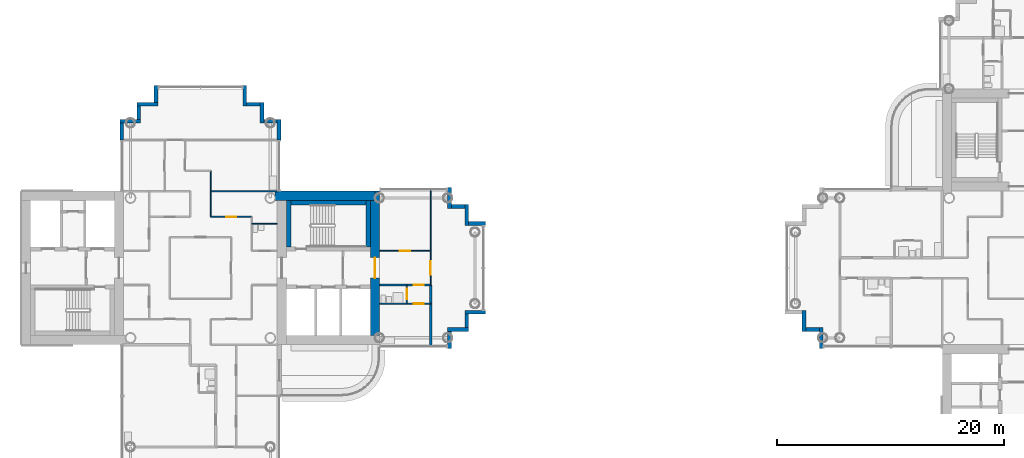
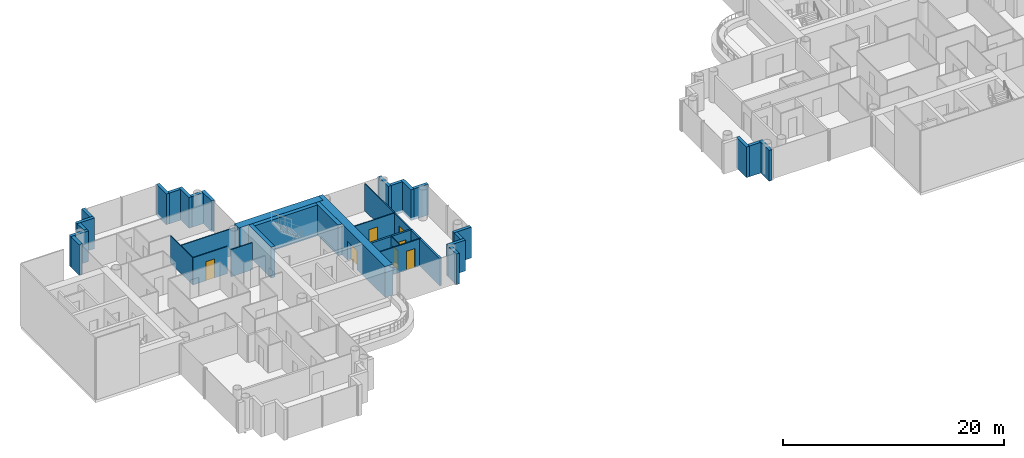
# One storey, part 9 of 20: 36 walls, 7 doors, 7 openings.
"""IFC4 building model written with IfcOpenShell, lengths in metres."""

from ifc_helpers import new_model, si_unit, direction, frame, frame_2d, origin, place, context, subcontext, project, spatial, rectangle, extrude, material, layer, layer_set, type_object, element, fill, save


model = new_model("IFC4")

# Units and contexts
model_context = context("Model", 3, precision=1e-05, world=origin(), true_north=direction((0.0, 1.0)))
body_context = subcontext(model_context, "Body", "Model", "MODEL_VIEW")
ifc_project = project(units=[si_unit("LENGTHUNIT", "METRE"), si_unit("AREAUNIT", "SQUARE_METRE"), si_unit("VOLUMEUNIT", "CUBIC_METRE"), si_unit("PLANEANGLEUNIT", "RADIAN"), si_unit("MASSUNIT", "GRAM", prefix="KILO")], contexts=[model_context])

# Site, building, storey
site_placement = place(None, origin())
site = spatial("IfcSite", under=ifc_project, at=site_placement, CompositionType="ELEMENT")
building_placement = place(site_placement, origin())
building = spatial("IfcBuilding", under=site, at=building_placement, Name="Ipe Terrace Towers", CompositionType="ELEMENT")
storey_placement = place(building_placement, frame((0.0, 0.0, 167.699951171875)))
storey = spatial("IfcBuildingStorey", under=building, at=storey_placement, Name="L46", CompositionType="ELEMENT", Elevation=167.699951171875)

# Walls
ifc_material_1 = material(Name="Concrete C40/50 with buff precast cladding", Category="concrete")
ifc_layer_1 = layer(ifc_material_1, 0.320068359375)
ifc_layer_set_1 = layer_set([ifc_layer_1], Name="BUFF CLADDING WALL 320")
wall_type_1 = type_object("IfcWallType", Name="BUFF CLADDING WALL 320", PredefinedType="STANDARD", material=ifc_layer_set_1)
wall_1_placement = place(storey_placement, frame((-14.090087890625, -7.070068359375, -0.300048828125), z_axis=(0.0, 0.0, 1.0), x_axis=(0.0, 1.0, 0.0)))
element("IfcWall", 1, at=wall_1_placement, inside=storey, type_object=wall_type_1, Name="T1-W-L46-17a wall", PredefinedType="STANDARD", context=body_context, shape_type="SweptSolid", body=[
    extrude(rectangle(XDim=1.5, YDim=0.320068359375, at=frame_2d((0.75, 0.0))), origin(), (0.0, 0.0, 1.0), 3.400146484375),
])
wall_2_placement = place(storey_placement, frame((-14.25, -5.409912109375, -0.300048828125), z_axis=(0.0, 0.0, 1.0), x_axis=(1.0, 0.0, 0.0)))
element("IfcWall", 2, at=wall_2_placement, inside=storey, type_object=wall_type_1, Name="T1-W-L46-18a wall", PredefinedType="STANDARD", context=body_context, shape_type="SweptSolid", body=[
    extrude(rectangle(XDim=1.820068359375, YDim=0.320068359375, at=frame_2d((0.91015625, 0.0))), origin(), (0.0, 0.0, 1.0), 3.400146484375),
])
wall_3_placement = place(storey_placement, frame((-12.590087890625, -5.25, -0.300048828125), z_axis=(0.0, 0.0, 1.0), x_axis=(0.0, 1.0, 0.0)))
element("IfcWall", 3, at=wall_3_placement, inside=storey, type_object=wall_type_1, Name="T1-W-L46-19a wall", PredefinedType="STANDARD", context=body_context, shape_type="SweptSolid", body=[
    extrude(rectangle(XDim=1.179931640625, YDim=0.320068359375, at=frame_2d((0.58984375, 0.0))), origin(), (0.0, 0.0, 1.0), 3.400146484375),
])
wall_4_placement = place(storey_placement, frame((-12.75, -3.909912109375, -0.300048828125), z_axis=(0.0, 0.0, 1.0), x_axis=(1.0, 0.0, 0.0)))
element("IfcWall", 4, at=wall_4_placement, inside=storey, type_object=wall_type_1, Name="T1-W-L46-20a wall", PredefinedType="STANDARD", context=body_context, shape_type="SweptSolid", body=[
    extrude(rectangle(XDim=1.820068359375, YDim=0.320068359375, at=frame_2d((0.91015625, 0.0))), origin(), (0.0, 0.0, 1.0), 3.400146484375),
])
wall_5_placement = place(storey_placement, frame((-10.929931640625, 3.909912109375, -0.300048828125), z_axis=(0.0, 0.0, 1.0), x_axis=(-1.0, 0.0, 0.0)))
element("IfcWall", 5, at=wall_5_placement, inside=storey, type_object=wall_type_1, Name="T1-W-L46-22a wall", PredefinedType="STANDARD", context=body_context, shape_type="SweptSolid", body=[
    extrude(rectangle(XDim=1.5, YDim=0.320068359375, at=frame_2d((0.75, 0.0))), origin(), (0.0, 0.0, 1.0), 3.400146484375),
])
wall_6_placement = place(storey_placement, frame((-12.590087890625, 3.75, -0.300048828125), z_axis=(0.0, 0.0, 1.0), x_axis=(0.0, 1.0, 0.0)))
element("IfcWall", 6, at=wall_6_placement, inside=storey, type_object=wall_type_1, Name="T1-W-L46-23a wall", PredefinedType="STANDARD", context=body_context, shape_type="SweptSolid", body=[
    extrude(rectangle(XDim=1.820068359375, YDim=0.320068359375, at=frame_2d((0.91015625, 0.0))), origin(), (0.0, 0.0, 1.0), 3.400146484375),
])
wall_7_placement = place(storey_placement, frame((-12.75, 5.409912109375, -0.300048828125), z_axis=(0.0, 0.0, 1.0), x_axis=(-1.0, 0.0, 0.0)))
element("IfcWall", 7, at=wall_7_placement, inside=storey, type_object=wall_type_1, Name="T1-W-L46-24a wall", PredefinedType="STANDARD", context=body_context, shape_type="SweptSolid", body=[
    extrude(rectangle(XDim=1.179931640625, YDim=0.320068359375, at=frame_2d((0.58984375, 0.0))), origin(), (0.0, 0.0, 1.0), 3.400146484375),
])
for number, where, z_axis, x_axis, name in (
    (8, (-14.090087890625, 5.25, -0.300048828125), (0.0, 0.0, 1.0), (0.0, 1.0, 0.0), "T1-W-L46-25a wall"),
    (9, (-29.090087890625, 11.25, -0.300048828125), (0.0, 0.0, 1.0), (0.0, 1.0, 0.0), "T1-W-L46-29a wall"),
):
    element("IfcWall", number, at=place(storey_placement, frame(where, z_axis=z_axis, x_axis=x_axis)), inside=storey, type_object=wall_type_1, Name=name, PredefinedType="STANDARD", context=body_context, shape_type="SweptSolid", body=[
        extrude(rectangle(XDim=1.820068359375, YDim=0.320068359375, at=frame_2d((0.91015625, 0.0))), origin(), (0.0, 0.0, 1.0), 3.400146484375),
    ])
wall_8_placement = place(storey_placement, frame((-29.25, 12.909912109375, -0.300048828125), z_axis=(0.0, 0.0, 1.0), x_axis=(-1.0, 0.0, 0.0)))
element("IfcWall", 10, at=wall_8_placement, inside=storey, type_object=wall_type_1, Name="T1-W-L46-30a wall", PredefinedType="STANDARD", context=body_context, shape_type="SweptSolid", body=[
    extrude(rectangle(XDim=1.179931640625, YDim=0.320068359375, at=frame_2d((0.58984375, 0.0))), origin(), (0.0, 0.0, 1.0), 3.400146484375),
])
wall_9_placement = place(storey_placement, frame((-30.590087890625, 12.75, -0.300048828125), z_axis=(0.0, 0.0, 1.0), x_axis=(0.0, 1.0, 0.0)))
element("IfcWall", 11, at=wall_9_placement, inside=storey, type_object=wall_type_1, Name="T1-W-L46-31a wall", PredefinedType="STANDARD", context=body_context, shape_type="SweptSolid", body=[
    extrude(rectangle(XDim=1.820068359375, YDim=0.320068359375, at=frame_2d((0.91015625, 0.0))), origin(), (0.0, 0.0, 1.0), 3.400146484375),
])
wall_10_placement = place(storey_placement, frame((-30.75, 14.409912109375, -0.300048828125), z_axis=(0.0, 0.0, 1.0), x_axis=(-1.0, 0.0, 0.0)))
element("IfcWall", 12, at=wall_10_placement, inside=storey, type_object=wall_type_1, Name="T1-W-L46-32a wall", PredefinedType="STANDARD", context=body_context, shape_type="SweptSolid", body=[
    extrude(rectangle(XDim=1.179931640625, YDim=0.320068359375, at=frame_2d((0.58984375, 0.0))), origin(), (0.0, 0.0, 1.0), 3.400146484375),
])
wall_11_placement = place(storey_placement, frame((-32.090087890625, 14.25, -0.300048828125), z_axis=(0.0, 0.0, 1.0), x_axis=(0.0, 1.0, 0.0)))
element("IfcWall", 13, at=wall_11_placement, inside=storey, type_object=wall_type_1, Name="T1-W-L46-33a wall", PredefinedType="STANDARD", context=body_context, shape_type="SweptSolid", body=[
    extrude(rectangle(XDim=1.820068359375, YDim=0.320068359375, at=frame_2d((0.91015625, 0.0))), origin(), (0.0, 0.0, 1.0), 3.400146484375),
])
wall_12_placement = place(storey_placement, frame((-39.909912109375, 16.070068359375, -0.300048828125), z_axis=(0.0, 0.0, 1.0), x_axis=(0.0, -1.0, 0.0)))
element("IfcWall", 14, at=wall_12_placement, inside=storey, type_object=wall_type_1, Name="T1-W-L46-35a wall", PredefinedType="STANDARD", context=body_context, shape_type="SweptSolid", body=[
    extrude(rectangle(XDim=1.5, YDim=0.320068359375, at=frame_2d((0.75, 0.0))), origin(), (0.0, 0.0, 1.0), 3.400146484375),
])
wall_13_placement = place(storey_placement, frame((-39.75, 14.409912109375, -0.300048828125), z_axis=(0.0, 0.0, 1.0), x_axis=(-1.0, 0.0, 0.0)))
element("IfcWall", 15, at=wall_13_placement, inside=storey, type_object=wall_type_1, Name="T1-W-L46-36a wall", PredefinedType="STANDARD", context=body_context, shape_type="SweptSolid", body=[
    extrude(rectangle(XDim=1.820068359375, YDim=0.320068359375, at=frame_2d((0.91015625, 0.0))), origin(), (0.0, 0.0, 1.0), 3.400146484375),
])
wall_14_placement = place(storey_placement, frame((-41.409912109375, 14.25, -0.300048828125), z_axis=(0.0, 0.0, 1.0), x_axis=(0.0, -1.0, 0.0)))
element("IfcWall", 16, at=wall_14_placement, inside=storey, type_object=wall_type_1, Name="T1-W-L46-37a wall", PredefinedType="STANDARD", context=body_context, shape_type="SweptSolid", body=[
    extrude(rectangle(XDim=1.179931640625, YDim=0.320068359375, at=frame_2d((0.58984375, 0.0))), origin(), (0.0, 0.0, 1.0), 3.400146484375),
])
wall_15_placement = place(storey_placement, frame((-41.25, 12.909912109375, -0.300048828125), z_axis=(0.0, 0.0, 1.0), x_axis=(-1.0, 0.0, 0.0)))
element("IfcWall", 17, at=wall_15_placement, inside=storey, type_object=wall_type_1, Name="T1-W-L46-38a wall", PredefinedType="STANDARD", context=body_context, shape_type="SweptSolid", body=[
    extrude(rectangle(XDim=1.820068359375, YDim=0.320068359375, at=frame_2d((0.91015625, 0.0))), origin(), (0.0, 0.0, 1.0), 3.400146484375),
])
wall_16_placement = place(storey_placement, frame((-42.909912109375, 12.75, -0.300048828125), z_axis=(0.0, 0.0, 1.0), x_axis=(0.0, -1.0, 0.0)))
element("IfcWall", 18, at=wall_16_placement, inside=storey, type_object=wall_type_1, Name="T1-W-L46-39a wall", PredefinedType="STANDARD", context=body_context, shape_type="SweptSolid", body=[
    extrude(rectangle(XDim=1.5, YDim=0.320068359375, at=frame_2d((0.75, 0.0))), origin(), (0.0, 0.0, 1.0), 3.400146484375),
])
wall_17_placement = place(storey_placement, frame((17.090087890625, -3.75, -0.300048828125), z_axis=(0.0, 0.0, 1.0), x_axis=(0.0, -1.0, 0.0)))
element("IfcWall", 19, at=wall_17_placement, inside=storey, type_object=wall_type_1, Name="T2-W-L46-36a wall", PredefinedType="STANDARD", context=body_context, shape_type="SweptSolid", body=[
    extrude(rectangle(XDim=1.820068359375, YDim=0.320068359375, at=frame_2d((0.91015625, 0.0))), origin(), (0.0, 0.0, 1.0), 3.400146484375),
])
wall_18_placement = place(storey_placement, frame((17.25, -5.409912109375, -0.300048828125), z_axis=(0.0, 0.0, 1.0), x_axis=(1.0, 0.0, 0.0)))
element("IfcWall", 20, at=wall_18_placement, inside=storey, type_object=wall_type_1, Name="T2-W-L46-37a wall", PredefinedType="STANDARD", context=body_context, shape_type="SweptSolid", body=[
    extrude(rectangle(XDim=1.179931640625, YDim=0.320068359375, at=frame_2d((0.58984375, 0.0))), origin(), (0.0, 0.0, 1.0), 3.400146484375),
])
wall_19_placement = place(storey_placement, frame((18.590087890625, -5.25, -0.300048828125), z_axis=(0.0, 0.0, 1.0), x_axis=(0.0, -1.0, 0.0)))
element("IfcWall", 21, at=wall_19_placement, inside=storey, type_object=wall_type_1, Name="T2-W-L46-38a wall", PredefinedType="STANDARD", context=body_context, shape_type="SweptSolid", body=[
    extrude(rectangle(XDim=1.820068359375, YDim=0.320068359375, at=frame_2d((0.91015625, 0.0))), origin(), (0.0, 0.0, 1.0), 3.400146484375),
])
ifc_material_2 = material(Name="Gypsum board partition", Category="plasterboard")
ifc_layer_2 = layer(ifc_material_2, 0.10009765625)
ifc_layer_set_2 = layer_set([ifc_layer_2], Name="Gypsum board partition 100 mm")
wall_type_2 = type_object("IfcWallType", Name="Gypsum board partition 100 mm", PredefinedType="PARTITIONING", material=ifc_layer_set_2)
wall_20_placement = place(storey_placement, frame((-35.10009765625, 4.5, 0.0), z_axis=(0.0, 0.0, 1.0), x_axis=(0.0, 1.0, 0.0)))
element("IfcWall", 22, at=wall_20_placement, inside=storey, type_object=wall_type_2, Name="Gypsum board partition T1 L46 W11", PredefinedType="PARTITIONING", context=body_context, shape_type="SweptSolid", body=[
    extrude(rectangle(XDim=4.050048828125, YDim=0.10009765625, at=frame_2d((2.02490234375, 0.0))), origin(), (0.0, 0.0, 1.0), 3.0),
])

# Wall, opening, door
wall_21_placement = place(storey_placement, frame((-17.85009765625, -3.14990234375, 0.0), z_axis=(0.0, 0.0, 1.0), x_axis=(0.0, 1.0, 0.0)))
wall_21 = element("IfcWall", 23, at=wall_21_placement, inside=storey, type_object=wall_type_2, Name="Gypsum board partition T1 L46 W17", PredefinedType="PARTITIONING", context=body_context, shape_type="SweptSolid", body=[
    extrude(rectangle(XDim=1.64990234375, YDim=0.10009765625, at=frame_2d((0.824951171875, 0.0))), origin(), (0.0, 0.0, 1.0), 3.0),
])
opening_1_placement = place(wall_21_placement, frame((0.39990234375, 0.0, 0.0)))
opening_1 = element("IfcOpeningElement", 24, at=opening_1_placement, cuts=wall_21, Name="Opening T1-Z3F-21", PredefinedType="OPENING", context=body_context, shape_type="SweptSolid", body=[
    extrude(rectangle(XDim=0.89990234375, YDim=2.10009765625, at=frame_2d((0.449951171875, 1.050048828125))), frame((0.0, 0.06005859375, 0.0), z_axis=(0.0, -1.0, 0.0), x_axis=(1.0, 0.0, 0.0)), (0.0, 0.0, 1.0), 0.1201171875),
])
ifc_material_3 = material(Name="Timber door leaf", Category="wood")
door_type_1 = type_object("IfcDoorType", Name="Bathroom door 900 x 2100", OperationType="NOTDEFINED", PredefinedType="DOOR", material=ifc_material_3)
door_1_placement = place(opening_1_placement, origin())
door_1 = element("IfcDoor", 25, at=door_1_placement, inside=storey, type_object=door_type_1, Name="Bathroom door T1-Z3F-21", OperationType="SINGLE_SWING_LEFT", OverallHeight=2.10009765625, OverallWidth=0.89990234375, PredefinedType="DOOR", context=body_context, shape_type="SweptSolid", body=[
    extrude(rectangle(XDim=0.89990234375, YDim=2.10009765625, at=frame_2d((0.449951171875, 1.050048828125))), frame((0.0, 0.02490234375, 0.0), z_axis=(0.0, -1.0, 0.0), x_axis=(1.0, 0.0, 0.0)), (0.0, 0.0, 1.0), 0.050048828125),
])
fill(opening_1, door_1)

wall_22_placement = place(storey_placement, frame((-15.75, -1.5, 0.0), z_axis=(0.0, 0.0, 1.0), x_axis=(0.0, 1.0, 0.0)))
wall_22 = element("IfcWall", 26, at=wall_22_placement, inside=storey, type_object=wall_type_2, Name="Gypsum board partition T1 L46 W18", PredefinedType="PARTITIONING", context=body_context, shape_type="SweptSolid", body=[
    extrude(rectangle(XDim=8.35009765625, YDim=0.10009765625, at=frame_2d((4.175048828125, 0.0))), origin(), (0.0, 0.0, 1.0), 3.0),
])
opening_2_placement = place(wall_22_placement, frame((0.89990234375, 0.0, 0.0)))
opening_2 = element("IfcOpeningElement", 27, at=opening_2_placement, cuts=wall_22, Name="Opening T1-Z3F-22", PredefinedType="OPENING", context=body_context, shape_type="SweptSolid", body=[
    extrude(rectangle(XDim=1.199951171875, YDim=2.10009765625, at=frame_2d((0.60009765625, 1.050048828125))), frame((0.0, 0.06005859375, 0.0), z_axis=(0.0, -1.0, 0.0), x_axis=(1.0, 0.0, 0.0)), (0.0, 0.0, 1.0), 0.1201171875),
])
ifc_material_4 = material(Name="Timber door leaf", Category="wood")
door_type_2 = type_object("IfcDoorType", Name="Lounge door 1200 x 2100", OperationType="NOTDEFINED", PredefinedType="DOOR", material=ifc_material_4)
door_2_placement = place(opening_2_placement, origin())
door_2 = element("IfcDoor", 28, at=door_2_placement, inside=storey, type_object=door_type_2, Name="Lounge door T1-Z3F-22", OperationType="SINGLE_SWING_LEFT", OverallHeight=2.10009765625, OverallWidth=1.199951171875, PredefinedType="DOOR", context=body_context, shape_type="SweptSolid", body=[
    extrude(rectangle(XDim=1.199951171875, YDim=2.10009765625, at=frame_2d((0.60009765625, 1.050048828125))), frame((0.0, 0.02490234375, 0.0), z_axis=(0.0, -1.0, 0.0), x_axis=(1.0, 0.0, 0.0)), (0.0, 0.0, 1.0), 0.050048828125),
])
fill(opening_2, door_2)

wall_23_placement = place(storey_placement, frame((-20.25, -3.14990234375, 0.0), z_axis=(0.0, 0.0, 1.0), x_axis=(1.0, 0.0, 0.0)))
wall_23 = element("IfcWall", 29, at=wall_23_placement, inside=storey, type_object=wall_type_2, Name="Gypsum board partition T1 L46 W29", PredefinedType="PARTITIONING", context=body_context, shape_type="SweptSolid", body=[
    extrude(rectangle(XDim=4.5, YDim=0.10009765625, at=frame_2d((2.25, 0.0))), origin(), (0.0, 0.0, 1.0), 3.0),
])
opening_3_placement = place(wall_23_placement, frame((3.0, 0.0, 0.0)))
opening_3 = element("IfcOpeningElement", 30, at=opening_3_placement, cuts=wall_23, Name="Opening T1-Z3F-20", PredefinedType="OPENING", context=body_context, shape_type="SweptSolid", body=[
    extrude(rectangle(XDim=0.89990234375, YDim=2.10009765625, at=frame_2d((0.449951171875, 1.050048828125))), frame((0.0, 0.06005859375, 0.0), z_axis=(0.0, -1.0, 0.0), x_axis=(1.0, 0.0, 0.0)), (0.0, 0.0, 1.0), 0.1201171875),
])
ifc_material_5 = material(Name="Timber door leaf", Category="wood")
door_type_3 = type_object("IfcDoorType", Name="Bedroom door 900 x 2100", OperationType="NOTDEFINED", PredefinedType="DOOR", material=ifc_material_5)
door_3_placement = place(opening_3_placement, origin())
door_3 = element("IfcDoor", 31, at=door_3_placement, inside=storey, type_object=door_type_3, Name="Bedroom door T1-Z3F-20", OperationType="SINGLE_SWING_RIGHT", OverallHeight=2.10009765625, OverallWidth=0.89990234375, PredefinedType="DOOR", context=body_context, shape_type="SweptSolid", body=[
    extrude(rectangle(XDim=0.89990234375, YDim=2.10009765625, at=frame_2d((0.449951171875, 1.050048828125))), frame((0.0, 0.02490234375, 0.0), z_axis=(0.0, -1.0, 0.0), x_axis=(1.0, 0.0, 0.0)), (0.0, 0.0, 1.0), 0.050048828125),
])
fill(opening_3, door_3)

wall_24_placement = place(storey_placement, frame((-20.25, 1.5, 0.0), z_axis=(0.0, 0.0, 1.0), x_axis=(1.0, 0.0, 0.0)))
wall_24 = element("IfcWall", 32, at=wall_24_placement, inside=storey, type_object=wall_type_2, Name="Gypsum board partition T1 L46 W36", PredefinedType="PARTITIONING", context=body_context, shape_type="SweptSolid", body=[
    extrude(rectangle(XDim=4.5, YDim=0.10009765625, at=frame_2d((2.25, 0.0))), origin(), (0.0, 0.0, 1.0), 3.0),
])
opening_4_placement = place(wall_24_placement, frame((1.800048828125, 0.0, 0.0)))
opening_4 = element("IfcOpeningElement", 33, at=opening_4_placement, cuts=wall_24, Name="Opening T1-Z3F-18", PredefinedType="OPENING", context=body_context, shape_type="SweptSolid", body=[
    extrude(rectangle(XDim=0.89990234375, YDim=2.10009765625, at=frame_2d((0.449951171875, 1.050048828125))), frame((0.0, 0.06005859375, 0.0), z_axis=(0.0, -1.0, 0.0), x_axis=(1.0, 0.0, 0.0)), (0.0, 0.0, 1.0), 0.1201171875),
])
ifc_material_6 = material(Name="Timber door leaf", Category="wood")
door_type_4 = type_object("IfcDoorType", Name="Lounge door 900 x 2100", OperationType="NOTDEFINED", PredefinedType="DOOR", material=ifc_material_6)
door_4_placement = place(opening_4_placement, origin())
door_4 = element("IfcDoor", 34, at=door_4_placement, inside=storey, type_object=door_type_4, Name="Lounge door T1-Z3F-18", OperationType="SINGLE_SWING_LEFT", OverallHeight=2.10009765625, OverallWidth=0.89990234375, PredefinedType="DOOR", context=body_context, shape_type="SweptSolid", body=[
    extrude(rectangle(XDim=0.89990234375, YDim=2.10009765625, at=frame_2d((0.449951171875, 1.050048828125))), frame((0.0, 0.02490234375, 0.0), z_axis=(0.0, -1.0, 0.0), x_axis=(1.0, 0.0, 0.0)), (0.0, 0.0, 1.0), 0.050048828125),
])
fill(opening_4, door_4)

# Wall
wall_25_placement = place(storey_placement, frame((-31.5, 3.89990234375, 0.0), z_axis=(0.0, 0.0, 1.0), x_axis=(1.0, 0.0, 0.0)))
element("IfcWall", 35, at=wall_25_placement, inside=storey, type_object=wall_type_2, Name="Gypsum board partition T1 L46 W38", PredefinedType="PARTITIONING", context=body_context, shape_type="SweptSolid", body=[
    extrude(rectangle(XDim=2.25, YDim=0.10009765625, at=frame_2d((1.125, 0.0))), origin(), (0.0, 0.0, 1.0), 3.0),
])

# Wall, opening, door
wall_26_placement = place(storey_placement, frame((-35.10009765625, 4.5, 0.0), z_axis=(0.0, 0.0, 1.0), x_axis=(1.0, 0.0, 0.0)))
wall_26 = element("IfcWall", 36, at=wall_26_placement, inside=storey, type_object=wall_type_2, Name="Gypsum board partition T1 L46 W40", PredefinedType="PARTITIONING", context=body_context, shape_type="SweptSolid", body=[
    extrude(rectangle(XDim=3.60009765625, YDim=0.10009765625, at=frame_2d((1.800048828125, 0.0))), origin(), (0.0, 0.0, 1.0), 3.0),
])
opening_5_placement = place(wall_26_placement, frame((1.35009765625, 0.0, 0.0)))
opening_5 = element("IfcOpeningElement", 37, at=opening_5_placement, cuts=wall_26, Name="Opening T1-Z3F-04", PredefinedType="OPENING", context=body_context, shape_type="SweptSolid", body=[
    extrude(rectangle(XDim=0.89990234375, YDim=2.10009765625, at=frame_2d((0.449951171875, 1.050048828125))), frame((0.0, 0.06005859375, 0.0), z_axis=(0.0, -1.0, 0.0), x_axis=(1.0, 0.0, 0.0)), (0.0, 0.0, 1.0), 0.1201171875),
])
door_5_placement = place(opening_5_placement, origin())
door_5 = element("IfcDoor", 38, at=door_5_placement, inside=storey, type_object=door_type_4, Name="Lounge door T1-Z3F-04", OperationType="SINGLE_SWING_LEFT", OverallHeight=2.10009765625, OverallWidth=0.89990234375, PredefinedType="DOOR", context=body_context, shape_type="SweptSolid", body=[
    extrude(rectangle(XDim=0.89990234375, YDim=2.10009765625, at=frame_2d((0.449951171875, 1.050048828125))), frame((0.0, 0.02490234375, 0.0), z_axis=(0.0, -1.0, 0.0), x_axis=(1.0, 0.0, 0.0)), (0.0, 0.0, 1.0), 0.050048828125),
])
fill(opening_5, door_5)

# Walls
wall_27_placement = place(storey_placement, frame((-35.10009765625, 6.75, 0.0), z_axis=(0.0, 0.0, 1.0), x_axis=(1.0, 0.0, 0.0)))
element("IfcWall", 39, at=wall_27_placement, inside=storey, type_object=wall_type_2, Name="Gypsum board partition T1 L46 W42", PredefinedType="PARTITIONING", context=body_context, shape_type="SweptSolid", body=[
    extrude(rectangle(XDim=5.9501953125, YDim=0.10009765625, at=frame_2d((2.97509765625, 0.0))), origin(), (0.0, 0.0, 1.0), 3.0),
])
ifc_material_7 = material(Name="Gypsum board party wall", Category="plasterboard")
ifc_layer_3 = layer(ifc_material_7, 0.199951171875)
ifc_layer_set_3 = layer_set([ifc_layer_3], Name="Gypsum board party wall 200 mm")
wall_type_3 = type_object("IfcWallType", Name="Gypsum board party wall 200 mm", PredefinedType="SOLIDWALL", material=ifc_layer_set_3)
wall_28_placement = place(storey_placement, frame((-15.75, -6.85009765625, 0.0), z_axis=(0.0, 0.0, 1.0), x_axis=(0.0, 1.0, 0.0)))
element("IfcWall", 40, at=wall_28_placement, inside=storey, type_object=wall_type_3, Name="Gypsum board party wall T1 L46 W19", PredefinedType="SOLIDWALL", context=body_context, shape_type="SweptSolid", body=[
    extrude(rectangle(XDim=5.35009765625, YDim=0.199951171875, at=frame_2d((2.675048828125, 0.0))), origin(), (0.0, 0.0, 1.0), 3.0),
])

# Wall, opening, door
wall_29_placement = place(storey_placement, frame((-20.25, -1.5, 0.0), z_axis=(0.0, 0.0, 1.0), x_axis=(1.0, 0.0, 0.0)))
wall_29 = element("IfcWall", 41, at=wall_29_placement, inside=storey, type_object=wall_type_3, Name="Gypsum board party wall T1 L46 W33", PredefinedType="SOLIDWALL", context=body_context, shape_type="SweptSolid", body=[
    extrude(rectangle(XDim=4.5, YDim=0.199951171875, at=frame_2d((2.25, 0.0))), origin(), (0.0, 0.0, 1.0), 3.0),
])
opening_6_placement = place(wall_29_placement, frame((3.0, 0.0, 0.0)))
opening_6 = element("IfcOpeningElement", 42, at=opening_6_placement, cuts=wall_29, Name="Opening T1-Z3F-19", PredefinedType="OPENING", context=body_context, shape_type="SweptSolid", body=[
    extrude(rectangle(XDim=0.89990234375, YDim=2.10009765625, at=frame_2d((0.449951171875, 1.050048828125))), frame((0.0, 0.10986328125, 0.0), z_axis=(0.0, -1.0, 0.0), x_axis=(1.0, 0.0, 0.0)), (0.0, 0.0, 1.0), 0.219970703125),
])
ifc_material_8 = material(Name="Fire-rated timber door leaf", Category="wood")
door_type_5 = type_object("IfcDoorType", Name="Flat entrance door 900 x 2100 FD30S", OperationType="NOTDEFINED", PredefinedType="DOOR", material=ifc_material_8)
door_6_placement = place(opening_6_placement, origin())
door_6 = element("IfcDoor", 43, at=door_6_placement, inside=storey, type_object=door_type_5, Name="Flat entrance door T1-Z3F-19", OperationType="SINGLE_SWING_RIGHT", OverallHeight=2.10009765625, OverallWidth=0.89990234375, PredefinedType="DOOR", context=body_context, shape_type="SweptSolid", body=[
    extrude(rectangle(XDim=0.89990234375, YDim=2.10009765625, at=frame_2d((0.449951171875, 1.050048828125))), frame((0.0, 0.02490234375, 0.0), z_axis=(0.0, -1.0, 0.0), x_axis=(1.0, 0.0, 0.0)), (0.0, 0.0, 1.0), 0.050048828125),
])
fill(opening_6, door_6)

# Walls
ifc_material_9 = material(Name="Concrete C50/60", Category="concrete")
ifc_layer_4 = layer(ifc_material_9, 0.39990234375)
ifc_layer_set_4 = layer_set([ifc_layer_4], Name="RW400 CORE INFILL WALL 400 C50-60")
wall_type_4 = type_object("IfcWallType", Name="RW400 CORE INFILL WALL 400 C50-60", PredefinedType="SHEAR", material=ifc_layer_set_4)
wall_30_placement = place(storey_placement, frame((-21.25, 1.85009765625, 0.0), z_axis=(0.0, 0.0, 1.0), x_axis=(0.0, 1.0, 0.0)))
element("IfcWall", 44, at=wall_30_placement, inside=storey, type_object=wall_type_4, Name="Core infill wall T1-C1-far", PredefinedType="SHEAR", context=body_context, shape_type="SweptSolid", body=[
    extrude(rectangle(XDim=4.099853515625, YDim=0.39990234375, at=frame_2d((2.0498046875, 0.0))), origin(), (0.0, 0.0, 1.0), 3.400146484375),
])
wall_31_placement = place(storey_placement, frame((-28.050048828125, 5.75, 0.0), z_axis=(0.0, 0.0, 1.0), x_axis=(1.0, 0.0, 0.0)))
element("IfcWall", 45, at=wall_31_placement, inside=storey, type_object=wall_type_4, Name="Core infill wall T1-C1-back", PredefinedType="SHEAR", context=body_context, shape_type="SweptSolid", body=[
    extrude(rectangle(XDim=6.60009765625, YDim=0.39990234375, at=frame_2d((3.300048828125, 0.0))), origin(), (0.0, 0.0, 1.0), 3.400146484375),
])
wall_32_placement = place(storey_placement, frame((-28.25, 1.85009765625, 0.0), z_axis=(0.0, 0.0, 1.0), x_axis=(0.0, 1.0, 0.0)))
element("IfcWall", 46, at=wall_32_placement, inside=storey, type_object=wall_type_4, Name="Core infill wall T1-C1-near", PredefinedType="SHEAR", context=body_context, shape_type="SweptSolid", body=[
    extrude(rectangle(XDim=4.099853515625, YDim=0.39990234375, at=frame_2d((2.0498046875, 0.0))), origin(), (0.0, 0.0, 1.0), 3.400146484375),
])

# Wall, opening, door
ifc_material_10 = material(Name="Concrete C50/60", Category="concrete")
ifc_layer_5 = layer(ifc_material_10, 0.800048828125)
ifc_layer_set_5 = layer_set([ifc_layer_5], Name="RW800 CORE WALL 800 C50-60")
wall_type_5 = type_object("IfcWallType", Name="RW800 CORE WALL 800 C50-60", PredefinedType="SHEAR", material=ifc_layer_set_5)
wall_33_placement = place(storey_placement, frame((-20.64990234375, -5.949951171875, 0.0), z_axis=(0.0, 0.0, 1.0), x_axis=(0.0, 1.0, 0.0)))
wall_33 = element("IfcWall", 47, at=wall_33_placement, inside=storey, type_object=wall_type_5, Name="Core wall T1-C1-Z3-W02", PredefinedType="SHEAR", context=body_context, shape_type="SweptSolid", body=[
    extrude(rectangle(XDim=12.699951171875, YDim=0.800048828125, at=frame_2d((6.35009765625, 0.0))), origin(), (0.0, 0.0, 1.0), 3.400146484375),
])
opening_7_placement = place(wall_33_placement, frame((5.050048828125, 0.0, 0.0)))
opening_7 = element("IfcOpeningElement", 48, at=opening_7_placement, cuts=wall_33, Name="Opening T1C1-FD", PredefinedType="OPENING", context=body_context, shape_type="SweptSolid", body=[
    extrude(rectangle(XDim=1.800048828125, YDim=2.10009765625, at=frame_2d((0.89990234375, 1.050048828125))), frame((0.0, 0.41015625, 0.0), z_axis=(0.0, -1.0, 0.0), x_axis=(1.0, 0.0, 0.0)), (0.0, 0.0, 1.0), 0.820068359375),
])
ifc_material_11 = material(Name="Fire-rated timber door leaf", Category="wood")
door_type_6 = type_object("IfcDoorType", Name="Fire door 1800 x 2100 FD30S", OperationType="NOTDEFINED", PredefinedType="DOOR", material=ifc_material_11)
door_7_placement = place(opening_7_placement, origin())
door_7 = element("IfcDoor", 49, at=door_7_placement, inside=storey, type_object=door_type_6, Name="Fire door T1C1-FD", OperationType="SINGLE_SWING_LEFT", OverallHeight=2.10009765625, OverallWidth=1.800048828125, PredefinedType="DOOR", context=body_context, shape_type="SweptSolid", body=[
    extrude(rectangle(XDim=1.800048828125, YDim=2.10009765625, at=frame_2d((0.89990234375, 1.050048828125))), frame((0.0, 0.02490234375, 0.0), z_axis=(0.0, -1.0, 0.0), x_axis=(1.0, 0.0, 0.0)), (0.0, 0.0, 1.0), 0.050048828125),
])
fill(opening_7, door_7)

# Wall
wall_34_placement = place(storey_placement, frame((-20.652099609375, 6.35009765625, 0.0), z_axis=(0.0, 0.0, 1.0), x_axis=(-1.0, 0.0, 0.0)))
element("IfcWall", 50, at=wall_34_placement, inside=storey, type_object=wall_type_5, Name="Core wall T1-C1-Z3-W03", PredefinedType="SHEAR", context=body_context, shape_type="SweptSolid", body=[
    extrude(rectangle(XDim=8.7958984375, YDim=0.800048828125, at=frame_2d((4.39794921875, 0.0))), origin(), (0.0, 0.0, 1.0), 3.400146484375),
])

save(model, "model.ifc")
